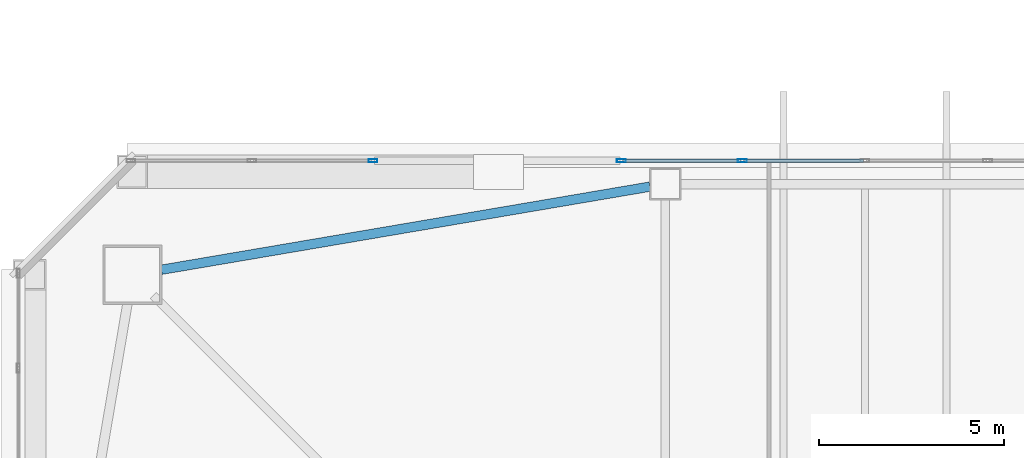
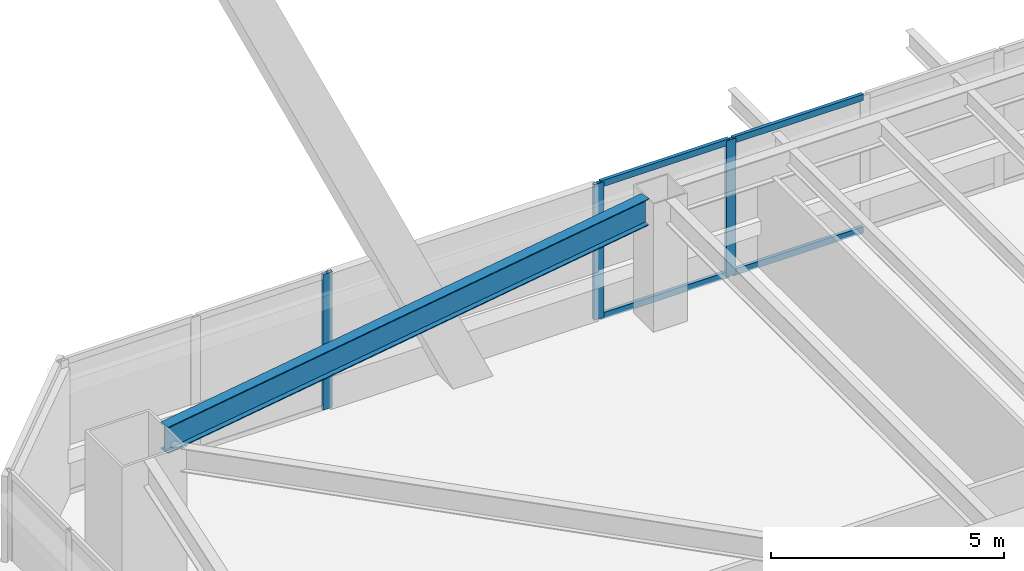
# One storey, part 23 of 75: 7 members, 1 beam, 2 elements without a shape of their own.
"""IFC4 building model written with IfcOpenShell, lengths in metres."""

import ifcopenshell
import ifcopenshell.guid

model = None  # the IFC model being written
_history = None  # IfcOwnerHistory: only IFC2X3 demands one
_inside = {}  # id of a spatial element -> (the spatial element, [elements in it])
_under = {}  # id of a project, library or spatial element -> (it, [spatial elements below it])
_declared = {}  # id of a project -> (the project, [libraries it declares])
_typed = {}  # id of a type object -> (the type object, [elements of that type])
_made_of = {}  # id of a material, layer set ... -> (it, [elements and type objects made of it])


def new_model(schema):
    """Start an empty IFC model of exactly this schema.

    Asked for "IFC4X3", IfcOpenShell would pick the latest addendum, in which some entities
    have other attributes; the version numbers below select the first issue.
    IFC2X3 requires an IfcOwnerHistory on every rooted entity: one is made here for all.
    """
    global model, _history
    if schema == "IFC4X3":
        model = ifcopenshell.file(schema_version=(4, 3, 0, 0))
    else:
        model = ifcopenshell.file(schema=schema)
    _inside.clear()
    _under.clear()
    _declared.clear()
    _typed.clear()
    _made_of.clear()
    _history = None
    if model.schema == "IFC2X3":
        org = make("IfcOrganization", Name="unknown")
        user = make(
            "IfcPersonAndOrganization",
            ThePerson=make("IfcPerson", FamilyName="unknown"),
            TheOrganization=org,
        )
        app = make(
            "IfcApplication",
            ApplicationDeveloper=org,
            Version="unknown",
            ApplicationFullName="unknown",
            ApplicationIdentifier="unknown",
        )
        _history = make(
            "IfcOwnerHistory",
            OwningUser=user,
            OwningApplication=app,
            ChangeAction="ADDED",
            CreationDate=0,
        )
    return model


def make(cls, **values):
    """One entity of the class cls with the attributes given. An attribute that is None is left unset."""
    return model.create_entity(
        cls, **{name: value for name, value in values.items() if value is not None}
    )


def rooted(cls, **values):
    """An entity with a GlobalId (a new one), such as an element, a storey or a relation."""
    return make(cls, GlobalId=ifcopenshell.guid.new(), OwnerHistory=_history, **values)


def si_unit(unit_type, name, prefix=None):
    """IfcSIUnit, for example si_unit("LENGTHUNIT", "METRE", prefix="MILLI")."""
    return make("IfcSIUnit", UnitType=unit_type, Prefix=prefix, Name=name)


def assignment(units):
    """IfcUnitAssignment: the units of a project."""
    return None if units is None else make("IfcUnitAssignment", Units=units)


def point(xyz):
    """IfcCartesianPoint."""
    return None if xyz is None else make("IfcCartesianPoint", Coordinates=xyz)


def direction(xyz):
    """IfcDirection."""
    return None if xyz is None else make("IfcDirection", DirectionRatios=xyz)


def frame(location, z_axis=None, x_axis=None):
    """IfcAxis2Placement3D, a coordinate frame: its origin and axes. An axis left out is left unset."""
    return make(
        "IfcAxis2Placement3D",
        Location=point(location),
        Axis=direction(z_axis),
        RefDirection=direction(x_axis),
    )


def frame_2d(location, x_axis=None):
    """IfcAxis2Placement2D, a coordinate frame in the plane: its origin and x axis."""
    return make(
        "IfcAxis2Placement2D", Location=point(location), RefDirection=direction(x_axis)
    )


def origin():
    """The frame at (0, 0, 0) with its axes left unset."""
    return frame((0.0, 0.0, 0.0))


def origin_2d():
    """The frame at (0, 0) in the plane with its x axis left unset."""
    return frame_2d((0.0, 0.0))


def place(relative_to, where):
    """IfcLocalPlacement: puts the frame where relative to a parent placement (None: the world)."""
    return make(
        "IfcLocalPlacement", PlacementRelTo=relative_to, RelativePlacement=where
    )


def context(
    kind, dimensions, precision=None, world=None, true_north=None, identifier=None
):
    """IfcGeometricRepresentationContext, for example the 3D "Model" context."""
    return make(
        "IfcGeometricRepresentationContext",
        ContextIdentifier=identifier,
        ContextType=kind,
        CoordinateSpaceDimension=dimensions,
        Precision=precision,
        WorldCoordinateSystem=world,
        TrueNorth=true_north,
    )


def subcontext(parent, identifier, kind, view, scale=None):
    """IfcGeometricRepresentationSubContext, for example "Body" below "Model"."""
    return make(
        "IfcGeometricRepresentationSubContext",
        ContextIdentifier=identifier,
        ContextType=kind,
        ParentContext=parent,
        TargetScale=scale,
        TargetView=view,
    )


def project(units=None, contexts=None):
    """IfcProject with its units and contexts."""
    return rooted(
        "IfcProject",
        Name="project",
        RepresentationContexts=contexts,
        UnitsInContext=assignment(units),
    )


def spatial(cls, under=None, at=None, **own):
    """A site, building, storey or space (cls), placed at a placement, below another one or the project."""
    s = rooted(cls, ObjectPlacement=at, **own)
    if under is not None:
        _under.setdefault(under.id(), (under, []))[1].append(s)
    return s


def profile(cls, at=None, kind="AREA", **sizes):
    """A parametric profile (cls). Its sizes go by their IFC names, for example OverallWidth=200.0."""
    return make(cls, ProfileType=kind, Position=at, **sizes)


def hollow_rectangle(**sizes):
    """IfcRectangleHollowProfileDef."""
    return profile("IfcRectangleHollowProfileDef", **sizes)


def i_section(**sizes):
    """IfcIShapeProfileDef."""
    return profile("IfcIShapeProfileDef", **sizes)


def extrude(swept, where, along, depth):
    """IfcExtrudedAreaSolid: the profile swept, set in the frame where, extruded along a direction by depth."""
    return make(
        "IfcExtrudedAreaSolid",
        SweptArea=swept,
        Position=where,
        ExtrudedDirection=direction(along),
        Depth=depth,
    )


def shape(context_of_items, identifier, shape_type, items):
    """IfcShapeRepresentation: the items that make up one representation, for example the "Body"."""
    return make(
        "IfcShapeRepresentation",
        ContextOfItems=context_of_items,
        RepresentationIdentifier=identifier,
        RepresentationType=shape_type,
        Items=items,
    )


def material(Name=None, Category=None):
    """IfcMaterial."""
    return make("IfcMaterial", Name=Name, Category=Category)


def material_profile(
    of_material, cross_section, Name=None, Category=None, Priority=None
):
    """IfcMaterialProfile: a cross section and its material."""
    return make(
        "IfcMaterialProfile",
        Name=Name,
        Material=of_material,
        Profile=cross_section,
        Priority=Priority,
        Category=Category,
    )


def profile_set(profiles, Name=None, composite=None):
    """IfcMaterialProfileSet."""
    return make(
        "IfcMaterialProfileSet",
        Name=Name,
        MaterialProfiles=profiles,
        CompositeProfile=composite,
    )


def made_of(thing, what):
    """Note that an element or type object is made of a material, layer set ...; save() writes the relation."""
    if what is not None:
        _made_of.setdefault(what.id(), (what, []))[1].append(thing)
    return thing


def type_object(cls, material=None, **own):
    """A type object (cls), such as IfcWallType, which elements share."""
    return made_of(rooted(cls, **own), material)


def element(
    cls,
    number,
    at=None,
    inside=None,
    cuts=None,
    type_object=None,
    material=None,
    context=None,
    identifier="Body",
    shape_type=None,
    held_by="IfcProductDefinitionShape",
    body=None,
    shapes=None,
    **own,
):
    """One element of the class cls, such as IfcWall. Its Tag is "e" and its number.

    at: its placement. inside: the storey or other place that contains it. cuts: it is an
    opening in that element (IfcRelVoidsElement). A single representation is given by context,
    identifier, shape_type and body (its items); several are given by shapes. held_by: the class
    of the entity that holds the representations. save() writes the other relations.
    """
    e = rooted(cls, Tag="e%d" % number, ObjectPlacement=at, **own)
    if body is not None:
        shapes = [shape(context, identifier, shape_type, body)]
    if shapes is not None:
        e.Representation = make(held_by, Representations=shapes)
    if inside is not None:
        _inside.setdefault(inside.id(), (inside, []))[1].append(e)
    if cuts is not None:
        rooted(
            "IfcRelVoidsElement", RelatingBuildingElement=cuts, RelatedOpeningElement=e
        )
    if type_object is not None:
        _typed.setdefault(type_object.id(), (type_object, []))[1].append(e)
    return made_of(e, material)


def aggregate(whole, parts):
    """IfcRelAggregates: a whole, such as a stair, and the parts it consists of."""
    return rooted("IfcRelAggregates", RelatingObject=whole, RelatedObjects=parts)


def save(model, path):
    """Write the relations noted so far, then the file.

    IfcRelAggregates (storeys below a building ...), IfcRelContainedInSpatialStructure (elements
    in a storey), IfcRelDefinesByType, IfcRelAssociatesMaterial and IfcRelDeclares: one each for
    every whole, place, type object, material and project.
    """
    for whole, parts in _under.values():
        aggregate(whole, parts)
    for where, things in _inside.values():
        rooted(
            "IfcRelContainedInSpatialStructure",
            RelatedElements=things,
            RelatingStructure=where,
        )
    for kind, things in _typed.values():
        rooted("IfcRelDefinesByType", RelatedObjects=things, RelatingType=kind)
    for what, things in _made_of.values():
        rooted("IfcRelAssociatesMaterial", RelatedObjects=things, RelatingMaterial=what)
    for by, libraries in _declared.values():
        rooted("IfcRelDeclares", RelatingContext=by, RelatedDefinitions=libraries)
    model.write(path)


model = new_model("IFC4")

# Units and contexts
model_context = context("Model", 3, precision=1e-05, world=origin(), true_north=direction((0.0, 1.0)))
body_context = subcontext(model_context, "Body", "Model", "MODEL_VIEW")
ifc_project = project(units=[si_unit("LENGTHUNIT", "METRE"), si_unit("AREAUNIT", "SQUARE_METRE"), si_unit("VOLUMEUNIT", "CUBIC_METRE"), si_unit("PLANEANGLEUNIT", "RADIAN"), si_unit("MASSUNIT", "GRAM", prefix="KILO")], contexts=[model_context])

# Site, building, storey
site_placement = place(None, origin())
site = spatial("IfcSite", under=ifc_project, at=site_placement, CompositionType="ELEMENT")
building_placement = place(site_placement, origin())
building = spatial("IfcBuilding", under=site, at=building_placement, Name="Tashvorn Skyway Center", CompositionType="ELEMENT")
storey_placement = place(building_placement, frame((0.0, 0.0, 45.89990234375)))
storey = spatial("IfcBuildingStorey", under=building, at=storey_placement, Name="L11", CompositionType="ELEMENT", Elevation=45.89990234375)

# Beam
ifc_material_1 = material(Name="Steel ASTM A992 Grade 50", Category="steel")
ifc_material_profile_1 = material_profile(ifc_material_1, i_section(OverallWidth=0.256103515625, OverallDepth=0.693115234375, WebThickness=0.014404296875, FlangeThickness=0.023681640625, at=origin_2d()), Name="W27X114")
ifc_profile_set_1 = profile_set([ifc_material_profile_1], Name="Steel ASTM A992 Grade 50")
beam_type = type_object("IfcBeamType", Name="BM-SPANDREL-W27X114", PredefinedType="SPANDREL", material=ifc_profile_set_1)
beam_placement = place(storey_placement, frame((36.18603515625, 54.179443359375, 3.003662109375), z_axis=(-0.985835025551, -0.16771792509, 0.0), x_axis=(0.16771792509, -0.985835025551, 0.0)))
element("IfcBeam", 1, at=beam_placement, inside=storey, type_object=beam_type, Name="Tower 1 L11 Spandrel Beam 09", PredefinedType="SPANDREL", context=body_context, shape_type="SweptSolid", body=[
    extrude(i_section(OverallWidth=0.256103515625, OverallDepth=0.693115234375, WebThickness=0.014404296875, FlangeThickness=0.023681640625, at=origin_2d()), origin(), (0.0, 0.0, 1.0), 13.39208984375),
])

# Curtain wall, member
ifc_material_2 = material(Name="Thermally broken bronze-anodized aluminium 6063-T6", Category="aluminium")
curtain_wall_type = type_object("IfcCurtainWallType", Name="CW-CW-Z1", PredefinedType="NOTDEFINED", material=ifc_material_2)
curtain_wall_1_placement = place(storey_placement, origin())
curtain_wall_1 = element("IfcCurtainWall", 2, at=curtain_wall_1_placement, inside=storey, type_object=curtain_wall_type, Name="Tower 1 L11 North Unitised Curtain Wall Glazing Group 1", PredefinedType="NOTDEFINED")
ifc_material_profile_2 = material_profile(ifc_material_2, hollow_rectangle(XDim=0.0849609375, YDim=0.239990234375, WallThickness=0.0048828125, at=origin_2d()), Name="ALU-MULL-85x240")
ifc_profile_set_2 = profile_set([ifc_material_profile_2], Name="Thermally broken bronze-anodized aluminium 6063-T6")
member_type_1 = type_object("IfcMemberType", Name="CWM-CW-Z1", PredefinedType="MULLION", material=ifc_profile_set_2)
member_1_placement = place(storey_placement, frame((28.7041015625, 54.8798828125, 0.0), z_axis=(0.0, 0.0, 1.0), x_axis=(0.0, 1.0, 0.0)))
member_1 = element("IfcMember", 3, at=member_1_placement, type_object=member_type_1, Name="CW-Z1 mullion 3", PredefinedType="MULLION", context=body_context, shape_type="SweptSolid", body=[
    extrude(hollow_rectangle(XDim=0.0849609375, YDim=0.239990234375, WallThickness=0.0048828125, at=origin_2d()), origin(), (0.0, 0.0, 1.0), 3.550048828125),
])
aggregate(curtain_wall_1, [member_1])

# Curtain wall, members
curtain_wall_2_placement = place(storey_placement, origin())
curtain_wall_2 = element("IfcCurtainWall", 4, at=curtain_wall_2_placement, inside=storey, type_object=curtain_wall_type, Name="Tower 1 L11 North Unitised Curtain Wall Glazing Group 2", PredefinedType="NOTDEFINED")
member_2_placement = place(storey_placement, frame((35.415771484375, 54.8798828125, 0.0), z_axis=(0.0, 0.0, 1.0), x_axis=(0.0, 1.0, 0.0)))
member_2 = element("IfcMember", 5, at=member_2_placement, type_object=member_type_1, Name="CW-Z1 mullion 1", PredefinedType="MULLION", context=body_context, shape_type="SweptSolid", body=[
    extrude(hollow_rectangle(XDim=0.0849609375, YDim=0.239990234375, WallThickness=0.0048828125, at=origin_2d()), origin(), (0.0, 0.0, 1.0), 3.550048828125),
])
member_3_placement = place(storey_placement, frame((38.686767578125, 54.8798828125, 0.0), z_axis=(0.0, 0.0, 1.0), x_axis=(0.0, 1.0, 0.0)))
member_3 = element("IfcMember", 6, at=member_3_placement, type_object=member_type_1, Name="CW-Z1 mullion 2", PredefinedType="MULLION", context=body_context, shape_type="SweptSolid", body=[
    extrude(hollow_rectangle(XDim=0.0849609375, YDim=0.239990234375, WallThickness=0.0048828125, at=origin_2d()), origin(), (0.0, 0.0, 1.0), 3.550048828125),
])
ifc_material_profile_3 = material_profile(ifc_material_2, hollow_rectangle(XDim=0.0849609375, YDim=0.1650390625, WallThickness=0.0048828125, at=origin_2d()), Name="ALU-TRAN-85x165")
ifc_profile_set_3 = profile_set([ifc_material_profile_3], Name="Thermally broken bronze-anodized aluminium 6063-T6")
member_type_2 = type_object("IfcMemberType", Name="CWT-CW-Z1", PredefinedType="USERDEFINED", material=ifc_profile_set_3)
member_4_placement = place(storey_placement, frame((35.458251953125, 54.8798828125, 0.04248046875), z_axis=(1.0, 0.0, 0.0), x_axis=(0.0, 1.0, 0.0)))
member_4 = element("IfcMember", 7, at=member_4_placement, type_object=member_type_2, Name="CW-Z1 transom 1.1", ObjectType="TRANSOM", PredefinedType="USERDEFINED", context=body_context, shape_type="SweptSolid", body=[
    extrude(hollow_rectangle(XDim=0.0849609375, YDim=0.1650390625, WallThickness=0.0048828125, at=origin_2d()), origin(), (0.0, 0.0, 1.0), 3.185791015625),
])
member_5_placement = place(storey_placement, frame((35.458251953125, 54.8798828125, 3.507568359375), z_axis=(1.0, 0.0, 0.0), x_axis=(0.0, 1.0, 0.0)))
member_5 = element("IfcMember", 8, at=member_5_placement, type_object=member_type_2, Name="CW-Z1 transom 1.2", ObjectType="TRANSOM", PredefinedType="USERDEFINED", context=body_context, shape_type="SweptSolid", body=[
    extrude(hollow_rectangle(XDim=0.0849609375, YDim=0.1650390625, WallThickness=0.0048828125, at=origin_2d()), origin(), (0.0, 0.0, 1.0), 3.185791015625),
])
member_6_placement = place(storey_placement, frame((38.729248046875, 54.8798828125, 0.04248046875), z_axis=(1.0, 0.0, 0.0), x_axis=(0.0, 1.0, 0.0)))
member_6 = element("IfcMember", 9, at=member_6_placement, type_object=member_type_2, Name="CW-Z1 transom 2.1", ObjectType="TRANSOM", PredefinedType="USERDEFINED", context=body_context, shape_type="SweptSolid", body=[
    extrude(hollow_rectangle(XDim=0.0849609375, YDim=0.1650390625, WallThickness=0.0048828125, at=origin_2d()), origin(), (0.0, 0.0, 1.0), 3.228271484375),
])
member_7_placement = place(storey_placement, frame((38.729248046875, 54.8798828125, 3.507568359375), z_axis=(1.0, 0.0, 0.0), x_axis=(0.0, 1.0, 0.0)))
member_7 = element("IfcMember", 10, at=member_7_placement, type_object=member_type_2, Name="CW-Z1 transom 2.2", ObjectType="TRANSOM", PredefinedType="USERDEFINED", context=body_context, shape_type="SweptSolid", body=[
    extrude(hollow_rectangle(XDim=0.0849609375, YDim=0.1650390625, WallThickness=0.0048828125, at=origin_2d()), origin(), (0.0, 0.0, 1.0), 3.228271484375),
])
aggregate(curtain_wall_2, [member_2, member_3, member_4, member_5, member_6, member_7])

save(model, "model.ifc")
